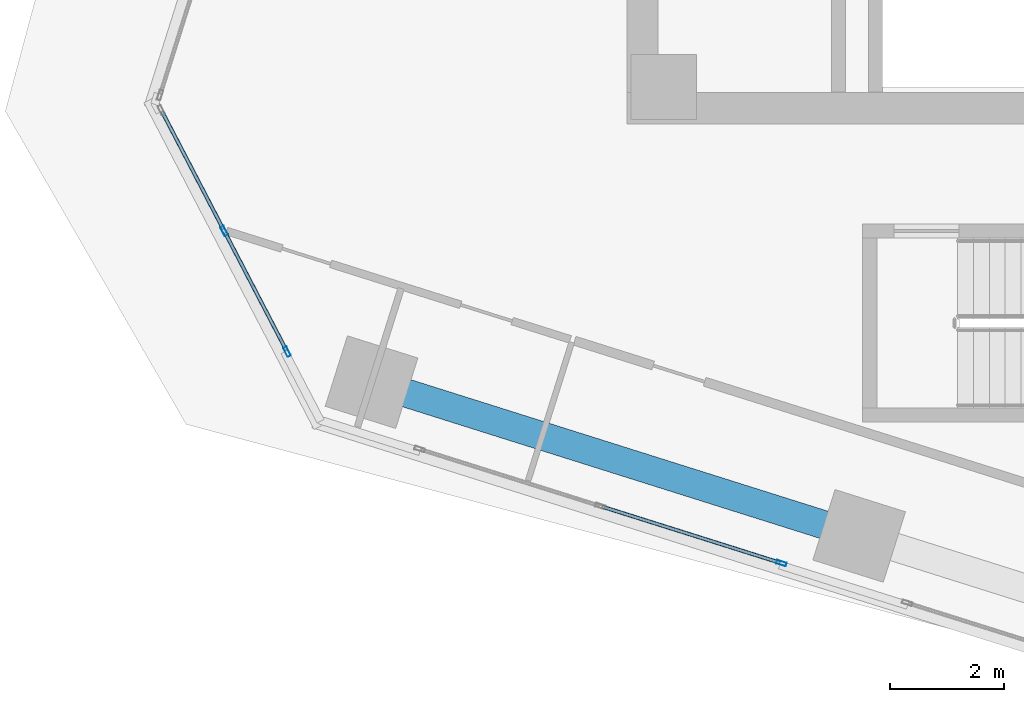
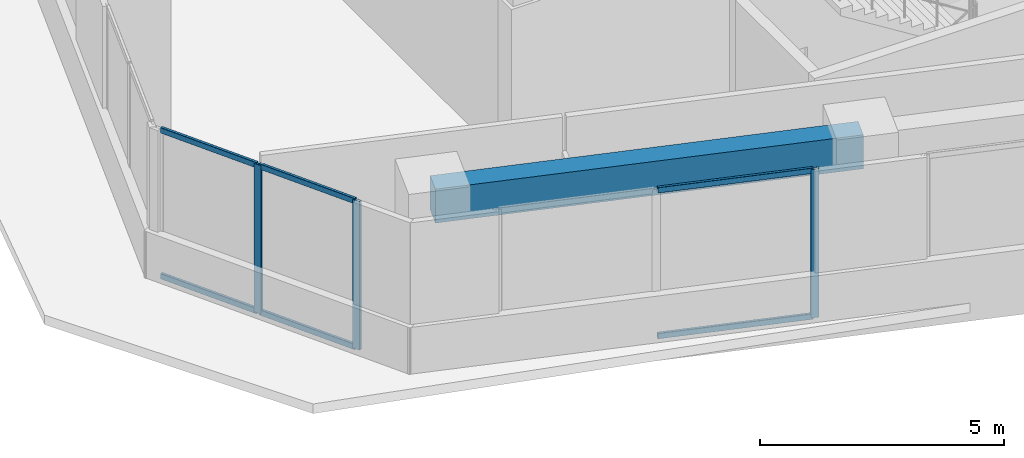
# One storey, part 3 of 28: 9 members, 1 beam, 2 elements without a shape of their own.
"""IFC4 building model written with IfcOpenShell, lengths in metres."""

import ifcopenshell
import ifcopenshell.guid

model = None  # the IFC model being written
_history = None  # IfcOwnerHistory: only IFC2X3 demands one
_inside = {}  # id of a spatial element -> (the spatial element, [elements in it])
_under = {}  # id of a project, library or spatial element -> (it, [spatial elements below it])
_declared = {}  # id of a project -> (the project, [libraries it declares])
_typed = {}  # id of a type object -> (the type object, [elements of that type])
_made_of = {}  # id of a material, layer set ... -> (it, [elements and type objects made of it])


def new_model(schema):
    """Start an empty IFC model of exactly this schema.

    Asked for "IFC4X3", IfcOpenShell would pick the latest addendum, in which some entities
    have other attributes; the version numbers below select the first issue.
    IFC2X3 requires an IfcOwnerHistory on every rooted entity: one is made here for all.
    """
    global model, _history
    if schema == "IFC4X3":
        model = ifcopenshell.file(schema_version=(4, 3, 0, 0))
    else:
        model = ifcopenshell.file(schema=schema)
    _inside.clear()
    _under.clear()
    _declared.clear()
    _typed.clear()
    _made_of.clear()
    _history = None
    if model.schema == "IFC2X3":
        org = make("IfcOrganization", Name="unknown")
        user = make(
            "IfcPersonAndOrganization",
            ThePerson=make("IfcPerson", FamilyName="unknown"),
            TheOrganization=org,
        )
        app = make(
            "IfcApplication",
            ApplicationDeveloper=org,
            Version="unknown",
            ApplicationFullName="unknown",
            ApplicationIdentifier="unknown",
        )
        _history = make(
            "IfcOwnerHistory",
            OwningUser=user,
            OwningApplication=app,
            ChangeAction="ADDED",
            CreationDate=0,
        )
    return model


def make(cls, **values):
    """One entity of the class cls with the attributes given. An attribute that is None is left unset."""
    return model.create_entity(
        cls, **{name: value for name, value in values.items() if value is not None}
    )


def rooted(cls, **values):
    """An entity with a GlobalId (a new one), such as an element, a storey or a relation."""
    return make(cls, GlobalId=ifcopenshell.guid.new(), OwnerHistory=_history, **values)


def si_unit(unit_type, name, prefix=None):
    """IfcSIUnit, for example si_unit("LENGTHUNIT", "METRE", prefix="MILLI")."""
    return make("IfcSIUnit", UnitType=unit_type, Prefix=prefix, Name=name)


def assignment(units):
    """IfcUnitAssignment: the units of a project."""
    return None if units is None else make("IfcUnitAssignment", Units=units)


def point(xyz):
    """IfcCartesianPoint."""
    return None if xyz is None else make("IfcCartesianPoint", Coordinates=xyz)


def direction(xyz):
    """IfcDirection."""
    return None if xyz is None else make("IfcDirection", DirectionRatios=xyz)


def frame(location, z_axis=None, x_axis=None):
    """IfcAxis2Placement3D, a coordinate frame: its origin and axes. An axis left out is left unset."""
    return make(
        "IfcAxis2Placement3D",
        Location=point(location),
        Axis=direction(z_axis),
        RefDirection=direction(x_axis),
    )


def frame_2d(location, x_axis=None):
    """IfcAxis2Placement2D, a coordinate frame in the plane: its origin and x axis."""
    return make(
        "IfcAxis2Placement2D", Location=point(location), RefDirection=direction(x_axis)
    )


def origin():
    """The frame at (0, 0, 0) with its axes left unset."""
    return frame((0.0, 0.0, 0.0))


def origin_2d():
    """The frame at (0, 0) in the plane with its x axis left unset."""
    return frame_2d((0.0, 0.0))


def place(relative_to, where):
    """IfcLocalPlacement: puts the frame where relative to a parent placement (None: the world)."""
    return make(
        "IfcLocalPlacement", PlacementRelTo=relative_to, RelativePlacement=where
    )


def context(
    kind, dimensions, precision=None, world=None, true_north=None, identifier=None
):
    """IfcGeometricRepresentationContext, for example the 3D "Model" context."""
    return make(
        "IfcGeometricRepresentationContext",
        ContextIdentifier=identifier,
        ContextType=kind,
        CoordinateSpaceDimension=dimensions,
        Precision=precision,
        WorldCoordinateSystem=world,
        TrueNorth=true_north,
    )


def subcontext(parent, identifier, kind, view, scale=None):
    """IfcGeometricRepresentationSubContext, for example "Body" below "Model"."""
    return make(
        "IfcGeometricRepresentationSubContext",
        ContextIdentifier=identifier,
        ContextType=kind,
        ParentContext=parent,
        TargetScale=scale,
        TargetView=view,
    )


def project(units=None, contexts=None):
    """IfcProject with its units and contexts."""
    return rooted(
        "IfcProject",
        Name="project",
        RepresentationContexts=contexts,
        UnitsInContext=assignment(units),
    )


def spatial(cls, under=None, at=None, **own):
    """A site, building, storey or space (cls), placed at a placement, below another one or the project."""
    s = rooted(cls, ObjectPlacement=at, **own)
    if under is not None:
        _under.setdefault(under.id(), (under, []))[1].append(s)
    return s


def profile(cls, at=None, kind="AREA", **sizes):
    """A parametric profile (cls). Its sizes go by their IFC names, for example OverallWidth=200.0."""
    return make(cls, ProfileType=kind, Position=at, **sizes)


def rectangle(**sizes):
    """IfcRectangleProfileDef."""
    return profile("IfcRectangleProfileDef", **sizes)


def hollow_rectangle(**sizes):
    """IfcRectangleHollowProfileDef."""
    return profile("IfcRectangleHollowProfileDef", **sizes)


def extrude(swept, where, along, depth):
    """IfcExtrudedAreaSolid: the profile swept, set in the frame where, extruded along a direction by depth."""
    return make(
        "IfcExtrudedAreaSolid",
        SweptArea=swept,
        Position=where,
        ExtrudedDirection=direction(along),
        Depth=depth,
    )


def shape(context_of_items, identifier, shape_type, items):
    """IfcShapeRepresentation: the items that make up one representation, for example the "Body"."""
    return make(
        "IfcShapeRepresentation",
        ContextOfItems=context_of_items,
        RepresentationIdentifier=identifier,
        RepresentationType=shape_type,
        Items=items,
    )


def source(mapping_origin, context_of_items, identifier, shape_type, items):
    """IfcRepresentationMap: a shape defined once, which mapped items show again and again."""
    return make(
        "IfcRepresentationMap",
        MappingOrigin=mapping_origin,
        MappedRepresentation=shape(context_of_items, identifier, shape_type, items),
    )


def transform(
    local_origin,
    x_axis=None,
    y_axis=None,
    z_axis=None,
    scale=None,
    scale2=None,
    scale3=None,
    uniform=True,
):
    """IfcCartesianTransformationOperator3D, or its non-uniform kind. x_axis, y_axis, z_axis: its Axis1, 2, 3."""
    if uniform:
        return make(
            "IfcCartesianTransformationOperator3D",
            Axis1=direction(x_axis),
            Axis2=direction(y_axis),
            LocalOrigin=point(local_origin),
            Scale=scale,
            Axis3=direction(z_axis),
        )
    return make(
        "IfcCartesianTransformationOperator3DnonUniform",
        Axis1=direction(x_axis),
        Axis2=direction(y_axis),
        LocalOrigin=point(local_origin),
        Scale=scale,
        Axis3=direction(z_axis),
        Scale2=scale2,
        Scale3=scale3,
    )


def mapped(mapping_source, mapping_target):
    """IfcMappedItem: shows the shape of a source again, moved by a transform."""
    return make(
        "IfcMappedItem", MappingSource=mapping_source, MappingTarget=mapping_target
    )


def material(Name=None, Category=None):
    """IfcMaterial."""
    return make("IfcMaterial", Name=Name, Category=Category)


def material_profile(
    of_material, cross_section, Name=None, Category=None, Priority=None
):
    """IfcMaterialProfile: a cross section and its material."""
    return make(
        "IfcMaterialProfile",
        Name=Name,
        Material=of_material,
        Profile=cross_section,
        Priority=Priority,
        Category=Category,
    )


def profile_set(profiles, Name=None, composite=None):
    """IfcMaterialProfileSet."""
    return make(
        "IfcMaterialProfileSet",
        Name=Name,
        MaterialProfiles=profiles,
        CompositeProfile=composite,
    )


def made_of(thing, what):
    """Note that an element or type object is made of a material, layer set ...; save() writes the relation."""
    if what is not None:
        _made_of.setdefault(what.id(), (what, []))[1].append(thing)
    return thing


def type_object(cls, material=None, **own):
    """A type object (cls), such as IfcWallType, which elements share."""
    return made_of(rooted(cls, **own), material)


def element(
    cls,
    number,
    at=None,
    inside=None,
    cuts=None,
    type_object=None,
    material=None,
    context=None,
    identifier="Body",
    shape_type=None,
    held_by="IfcProductDefinitionShape",
    body=None,
    shapes=None,
    **own,
):
    """One element of the class cls, such as IfcWall. Its Tag is "e" and its number.

    at: its placement. inside: the storey or other place that contains it. cuts: it is an
    opening in that element (IfcRelVoidsElement). A single representation is given by context,
    identifier, shape_type and body (its items); several are given by shapes. held_by: the class
    of the entity that holds the representations. save() writes the other relations.
    """
    e = rooted(cls, Tag="e%d" % number, ObjectPlacement=at, **own)
    if body is not None:
        shapes = [shape(context, identifier, shape_type, body)]
    if shapes is not None:
        e.Representation = make(held_by, Representations=shapes)
    if inside is not None:
        _inside.setdefault(inside.id(), (inside, []))[1].append(e)
    if cuts is not None:
        rooted(
            "IfcRelVoidsElement", RelatingBuildingElement=cuts, RelatedOpeningElement=e
        )
    if type_object is not None:
        _typed.setdefault(type_object.id(), (type_object, []))[1].append(e)
    return made_of(e, material)


def aggregate(whole, parts):
    """IfcRelAggregates: a whole, such as a stair, and the parts it consists of."""
    return rooted("IfcRelAggregates", RelatingObject=whole, RelatedObjects=parts)


def save(model, path):
    """Write the relations noted so far, then the file.

    IfcRelAggregates (storeys below a building ...), IfcRelContainedInSpatialStructure (elements
    in a storey), IfcRelDefinesByType, IfcRelAssociatesMaterial and IfcRelDeclares: one each for
    every whole, place, type object, material and project.
    """
    for whole, parts in _under.values():
        aggregate(whole, parts)
    for where, things in _inside.values():
        rooted(
            "IfcRelContainedInSpatialStructure",
            RelatedElements=things,
            RelatingStructure=where,
        )
    for kind, things in _typed.values():
        rooted("IfcRelDefinesByType", RelatedObjects=things, RelatingType=kind)
    for what, things in _made_of.values():
        rooted("IfcRelAssociatesMaterial", RelatedObjects=things, RelatingMaterial=what)
    for by, libraries in _declared.values():
        rooted("IfcRelDeclares", RelatingContext=by, RelatedDefinitions=libraries)
    model.write(path)


model = new_model("IFC4")

# Units and contexts
model_context = context("Model", 3, precision=1e-05, world=origin(), true_north=direction((0.0, 1.0)))
body_context = subcontext(model_context, "Body", "Model", "MODEL_VIEW")
ifc_project = project(units=[si_unit("LENGTHUNIT", "METRE"), si_unit("AREAUNIT", "SQUARE_METRE"), si_unit("VOLUMEUNIT", "CUBIC_METRE"), si_unit("PLANEANGLEUNIT", "RADIAN"), si_unit("MASSUNIT", "GRAM", prefix="KILO")], contexts=[model_context])

# Site, building, storey
site_placement = place(None, origin())
site = spatial("IfcSite", under=ifc_project, at=site_placement, CompositionType="ELEMENT")
building_placement = place(site_placement, origin())
building = spatial("IfcBuilding", under=site, at=building_placement, Name="Torre Montelarca", CompositionType="ELEMENT")
storey_placement = place(building_placement, frame((0.0, 0.0, 112.60009765625)))
storey = spatial("IfcBuildingStorey", under=building, at=storey_placement, Name="L25", CompositionType="ELEMENT", Elevation=112.60009765625)

# Beam
ifc_material_1 = material(Name="Concrete C55/67", Category="concrete")
ifc_material_profile_1 = material_profile(ifc_material_1, rectangle(XDim=0.5, YDim=0.85009765625, at=origin_2d()), Name="RCB500X850", Category="concrete")
ifc_profile_set_1 = profile_set([ifc_material_profile_1], Name="Concrete C55/67")
beam_type = type_object("IfcBeamType", Name="BM-SP-RC850-EXT", PredefinedType="SPANDREL", material=ifc_profile_set_1)
shared_shape_1 = source(origin(), body_context, "Body", "SweptSolid", [
    extrude(rectangle(XDim=0.5, YDim=0.85009765625, at=origin_2d()), origin(), (0.0, 0.0, 1.0), 9.0),
])
beam_placement = place(storey_placement, frame((4.406494140625, 19.35498046875, 3.534912109375), z_axis=(0.953711309007, -0.300723692236, 0.0), x_axis=(0.300723692236, 0.953711309007, 0.0)))
element("IfcBeam", 1, at=beam_placement, inside=storey, type_object=beam_type, Name="L25 Grid Girder X 9.0-18.0 at Y=14.8", PredefinedType="SPANDREL", context=body_context, shape_type="MappedRepresentation", body=[
    mapped(shared_shape_1, transform((0.0, 0.0, 0.0), scale=1.0)),
])

# Curtain wall, members
ifc_material_2 = material(Name="Insulated low-E laminated glass", Category="glass")
curtain_wall_type = type_object("IfcCurtainWallType", Name="CW-SYS-Z1", PredefinedType="USERDEFINED", material=ifc_material_2)
curtain_wall_1_placement = place(storey_placement, origin())
curtain_wall_1 = element("IfcCurtainWall", 2, at=curtain_wall_1_placement, inside=storey, type_object=curtain_wall_type, Name="L25 Curtain Wall Run CW-T3-L25-E01-B1", ObjectType="UNITISED GLAZING", PredefinedType="USERDEFINED")
ifc_material_3 = material(Name="Anodised aluminium AA 6063-T6", Category="aluminium")
ifc_material_profile_2 = material_profile(ifc_material_3, hollow_rectangle(XDim=0.06494140625, YDim=0.139892578125, WallThickness=0.00390625, InnerFilletRadius=0.00390625, OuterFilletRadius=0.008056640625, at=origin_2d()), Name="ALU65X140X4", Category="aluminium")
ifc_profile_set_2 = profile_set([ifc_material_profile_2], Name="Anodised aluminium AA 6063-T6")
member_type_1 = type_object("IfcMemberType", Name="CWT-ALU140", PredefinedType="USERDEFINED", material=ifc_profile_set_2)
shared_shape_2 = source(origin(), body_context, "Body", "SweptSolid", [
    extrude(hollow_rectangle(XDim=0.06494140625, YDim=0.139892578125, WallThickness=0.00390625, InnerFilletRadius=0.00390625, OuterFilletRadius=0.008056640625, at=origin_2d()), origin(), (0.0, 0.0, 1.0), 3.2724609375),
])
member_1_placement = place(storey_placement, frame((8.467529296875, 17.162109375, 0.032470703125), z_axis=(0.953733631686, -0.300652889213, 0.0), x_axis=(0.300652889213, 0.953733631686, 0.0)))
member_1 = element("IfcMember", 3, at=member_1_placement, type_object=member_type_1, Name="CW transom 2.1", ObjectType="TRANSOM", PredefinedType="USERDEFINED", context=body_context, shape_type="MappedRepresentation", body=[
    mapped(shared_shape_2, transform((0.0, 0.0, 0.0), scale=1.0)),
])
member_2_placement = place(storey_placement, frame((8.467529296875, 17.162109375, 3.6875), z_axis=(0.953733631686, -0.300652889213, 0.0), x_axis=(0.300652889213, 0.953733631686, 0.0)))
member_2 = element("IfcMember", 4, at=member_2_placement, type_object=member_type_1, Name="CW transom 2.2", ObjectType="TRANSOM", PredefinedType="USERDEFINED", context=body_context, shape_type="MappedRepresentation", body=[
    mapped(shared_shape_2, transform((0.0, 0.0, 0.0), scale=1.0)),
])

curtain_wall_2_placement = place(storey_placement, origin())
curtain_wall_2 = element("IfcCurtainWall", 5, at=curtain_wall_2_placement, inside=storey, type_object=curtain_wall_type, Name="L25 Curtain Wall Run CW-T3-L25-E11-B1", ObjectType="UNITISED GLAZING", PredefinedType="USERDEFINED")
shared_shape_3 = source(origin(), body_context, "Body", "SweptSolid", [
    extrude(hollow_rectangle(XDim=0.06494140625, YDim=0.139892578125, WallThickness=0.00390625, InnerFilletRadius=0.00390625, OuterFilletRadius=0.008056640625, at=origin_2d()), origin(), (0.0, 0.0, 1.0), 2.330322265625),
])
member_3_placement = place(storey_placement, frame((1.82763671875, 21.987060546875, 0.032470703125), z_axis=(0.461695758675, -0.887038345519, 0.0), x_axis=(0.887038345519, 0.461695758675, 0.0)))
member_3 = element("IfcMember", 6, at=member_3_placement, type_object=member_type_1, Name="CW transom 2.1", ObjectType="TRANSOM", PredefinedType="USERDEFINED", context=body_context, shape_type="MappedRepresentation", body=[
    mapped(shared_shape_3, transform((0.0, 0.0, 0.0), scale=1.0)),
])
member_4_placement = place(storey_placement, frame((1.82763671875, 21.987060546875, 3.6875), z_axis=(0.461695758675, -0.887038345519, 0.0), x_axis=(0.887038345519, 0.461695758675, 0.0)))
member_4 = element("IfcMember", 7, at=member_4_placement, type_object=member_type_1, Name="CW transom 2.2", ObjectType="TRANSOM", PredefinedType="USERDEFINED", context=body_context, shape_type="MappedRepresentation", body=[
    mapped(shared_shape_3, transform((0.0, 0.0, 0.0), scale=1.0)),
])

# Member
ifc_material_profile_3 = material_profile(ifc_material_3, hollow_rectangle(XDim=0.06494140625, YDim=0.179931640625, WallThickness=0.00390625, InnerFilletRadius=0.00390625, OuterFilletRadius=0.008056640625, at=origin_2d()), Name="ALU65X180X4", Category="aluminium")
ifc_profile_set_3 = profile_set([ifc_material_profile_3], Name="Anodised aluminium AA 6063-T6")
member_type_2 = type_object("IfcMemberType", Name="CWM-ALU180", PredefinedType="MULLION", material=ifc_profile_set_3)
shared_shape_4 = source(origin(), body_context, "Body", "SweptSolid", [
    extrude(hollow_rectangle(XDim=0.06494140625, YDim=0.179931640625, WallThickness=0.00390625, InnerFilletRadius=0.00390625, OuterFilletRadius=0.008056640625, at=origin_2d()), origin(), (0.0, 0.0, 1.0), 3.719970703125),
])
member_5_placement = place(storey_placement, frame((11.61962890625, 16.16845703125, 0.0), z_axis=(0.0, 0.0, 1.0), x_axis=(0.300709558589, 0.953715765505, 0.0)))
member_5 = element("IfcMember", 8, at=member_5_placement, type_object=member_type_2, Name="CW mullion 3", PredefinedType="MULLION", context=body_context, shape_type="MappedRepresentation", body=[
    mapped(shared_shape_4, transform((0.0, 0.0, 0.0), scale=1.0)),
])

aggregate(curtain_wall_1, [member_5, member_1, member_2])

member_6_placement = place(storey_placement, frame((1.8125, 22.015869140625, 0.0), z_axis=(0.0, 0.0, 1.0), x_axis=(0.88701003306, 0.461750150245, 0.0)))
member_6 = element("IfcMember", 9, at=member_6_placement, type_object=member_type_2, Name="CW mullion 2", PredefinedType="MULLION", context=body_context, shape_type="MappedRepresentation", body=[
    mapped(shared_shape_4, transform((0.0, 0.0, 0.0), scale=1.0)),
])

member_7_placement = place(storey_placement, frame((2.918701171875, 19.89111328125, 0.0), z_axis=(0.0, 0.0, 1.0), x_axis=(0.88701003306, 0.461750150245, 0.0)))
member_7 = element("IfcMember", 10, at=member_7_placement, type_object=member_type_2, Name="CW mullion 3", PredefinedType="MULLION", context=body_context, shape_type="MappedRepresentation", body=[
    mapped(shared_shape_4, transform((0.0, 0.0, 0.0), scale=1.0)),
])

shared_shape_5 = source(origin(), body_context, "Body", "SweptSolid", [
    extrude(hollow_rectangle(XDim=0.06494140625, YDim=0.139892578125, WallThickness=0.00390625, InnerFilletRadius=0.00390625, OuterFilletRadius=0.008056640625, at=origin_2d()), origin(), (0.0, 0.0, 1.0), 2.330810546875),
])
member_8_placement = place(storey_placement, frame((0.721435546875, 24.112060546875, 0.032470703125), z_axis=(0.461735279655, -0.887017774073, 0.0), x_axis=(0.887017774073, 0.461735279655, 0.0)))
member_8 = element("IfcMember", 11, at=member_8_placement, type_object=member_type_1, Name="CW transom 1.1", ObjectType="TRANSOM", PredefinedType="USERDEFINED", context=body_context, shape_type="MappedRepresentation", body=[
    mapped(shared_shape_5, transform((0.0, 0.0, 0.0), scale=1.0)),
])

member_9_placement = place(storey_placement, frame((0.721435546875, 24.112060546875, 3.6875), z_axis=(0.461735279655, -0.887017774073, 0.0), x_axis=(0.887017774073, 0.461735279655, 0.0)))
member_9 = element("IfcMember", 12, at=member_9_placement, type_object=member_type_1, Name="CW transom 1.2", ObjectType="TRANSOM", PredefinedType="USERDEFINED", context=body_context, shape_type="MappedRepresentation", body=[
    mapped(shared_shape_5, transform((0.0, 0.0, 0.0), scale=1.0)),
])

aggregate(curtain_wall_2, [member_6, member_7, member_8, member_9, member_3, member_4])

save(model, "model.ifc")
